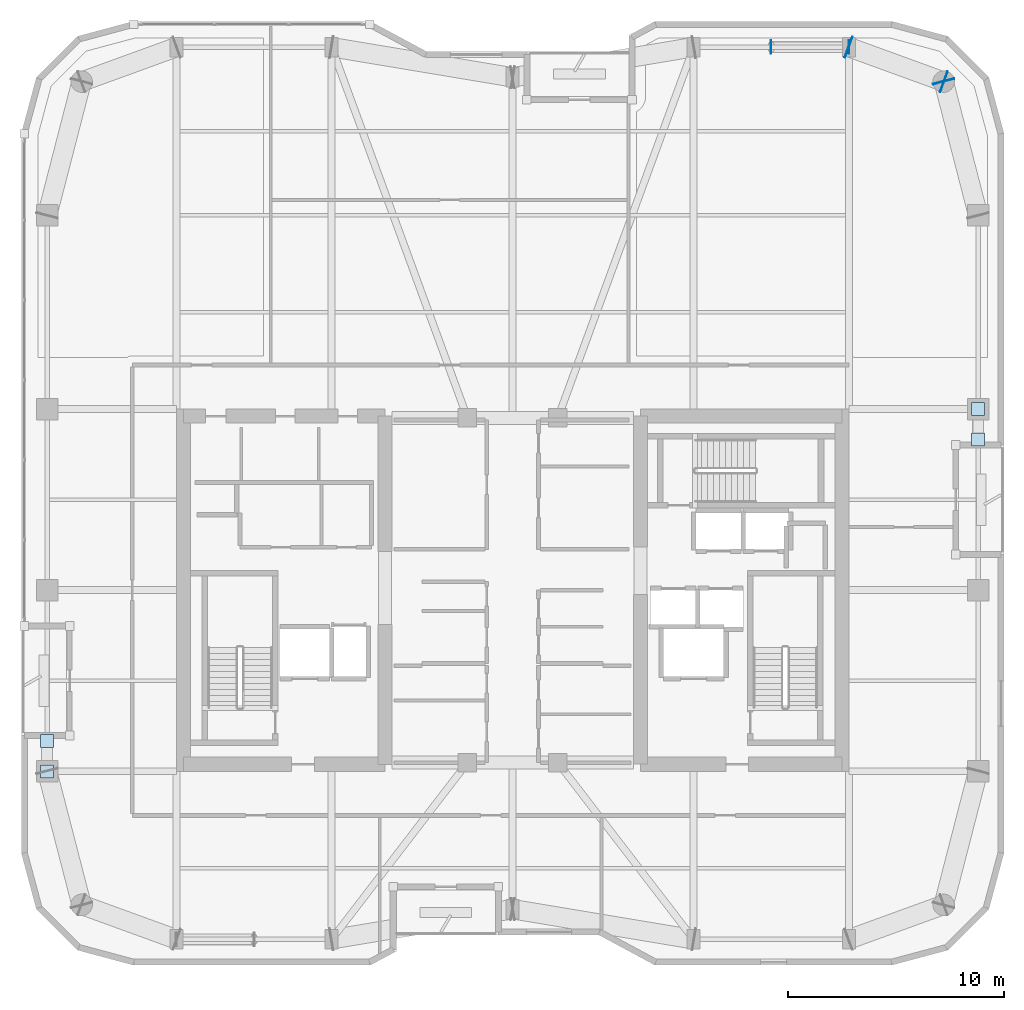
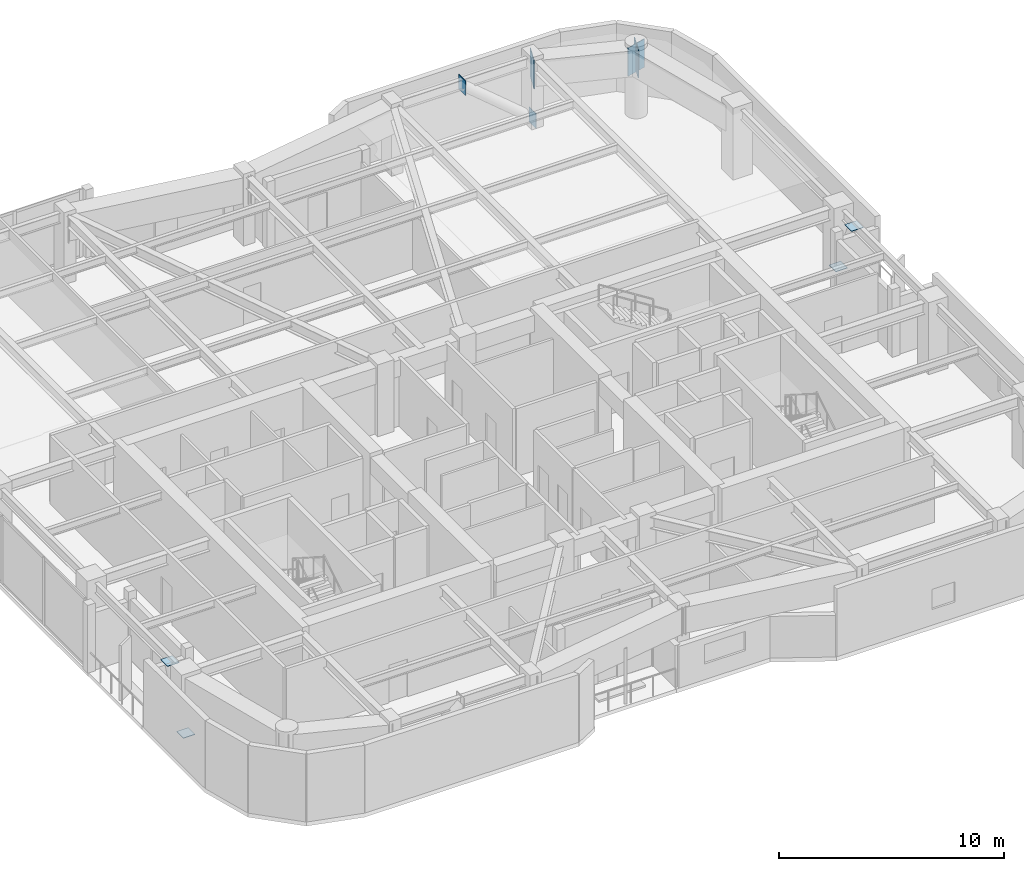
# One storey, part 14 of 21: 9 plates.
"""IFC4 building model written with IfcOpenShell, lengths in metres."""

from ifc_helpers import new_model, si_unit, direction, frame, origin, origin_2d, place, context, subcontext, project, spatial, rectangle, extrude, material, layer, layer_set, type_object, element, save


model = new_model("IFC4")

# Units and contexts
model_context = context("Model", 3, precision=1e-05, world=origin(), true_north=direction((0.0, 1.0)))
body_context = subcontext(model_context, "Body", "Model", "MODEL_VIEW")
ifc_project = project(units=[si_unit("LENGTHUNIT", "METRE"), si_unit("AREAUNIT", "SQUARE_METRE"), si_unit("VOLUMEUNIT", "CUBIC_METRE"), si_unit("PLANEANGLEUNIT", "RADIAN"), si_unit("MASSUNIT", "GRAM", prefix="KILO")], contexts=[model_context])

# Site, building, storey
site_placement = place(None, origin())
site = spatial("IfcSite", under=ifc_project, at=site_placement, CompositionType="ELEMENT")
building_placement = place(site_placement, origin())
building = spatial("IfcBuilding", under=site, at=building_placement, Name="Kiyonajd Concourse Tower", CompositionType="ELEMENT")
storey_placement = place(building_placement, frame((0.0, 0.0, 234.89990234375)))
storey = spatial("IfcBuildingStorey", under=building, at=storey_placement, Name="L59", CompositionType="ELEMENT", Elevation=234.89990234375)

# Plates
ifc_material = material(Name="Steel ASTM A572 Grade 50", Category="steel")
ifc_layer_1 = layer(ifc_material, 0.028076171875)
ifc_layer_set_1 = layer_set([ifc_layer_1], Name="Steel ASTM A572 Grade 50")
plate_type_1 = type_object("IfcPlateType", Name="PL-CAP-450", PredefinedType="USERDEFINED", material=ifc_layer_set_1)
for number, where, z_axis, x_axis, name in (
    (1, (63.6083984375, 61.199951171875, -0.10888671875), (0.0, 0.0, 1.0), (1.0, 0.0, 0.0), "L59 Hollow Brace End Cap Plate PBN"),
    (2, (59.99169921875, 61.199951171875, 2.93505859375), (0.0, 0.0, 1.0), (-1.0, 0.0, 0.0), "L59 Hollow Brace Top Cap Plate PBN"),
):
    element("IfcPlate", number, at=place(storey_placement, frame(where, z_axis=z_axis, x_axis=x_axis)), inside=storey, type_object=plate_type_1, Name=name, ObjectType="CAP PLATE", PredefinedType="USERDEFINED", context=body_context, shape_type="SweptSolid", body=[
        extrude(rectangle(XDim=0.035888671875, YDim=0.6279296875, at=origin_2d()), origin(), (0.0, 0.0, 1.0), 0.803955078125),
    ])
for number, where, z_axis, x_axis, name in (
    (3, (26.39990234375, 27.595458984375, 0.27587890625), (0.0, 0.0, 1.0), (1.0, 0.0, 0.0), "L59 Hollow Brace End Cap Plate PBW"),
    (4, (26.39990234375, 29.004638671875, 3.326171875), (0.0, 0.0, 1.0), (1.0, 0.0, 0.0), "L59 Hollow Brace Top Cap Plate PBW"),
    (5, (69.60009765625, 44.404541015625, 0.27587890625), (0.0, 0.0, 1.0), (1.0, 0.0, 0.0), "L59 Hollow Brace End Cap Plate PBE"),
    (6, (69.60009765625, 42.995361328125, 3.326171875), (0.0, 0.0, 1.0), (1.0, 0.0, 0.0), "L59 Hollow Brace Top Cap Plate PBE"),
):
    element("IfcPlate", number, at=place(storey_placement, frame(where, z_axis=z_axis, x_axis=x_axis)), inside=storey, type_object=plate_type_1, Name=name, ObjectType="CAP PLATE", PredefinedType="USERDEFINED", context=body_context, shape_type="SweptSolid", body=[
        extrude(rectangle(XDim=0.60791015625, YDim=0.60791015625, at=origin_2d()), origin(), (0.0, 0.0, 1.0), 0.028076171875),
    ])
ifc_layer_2 = layer(ifc_material, 0.031982421875)
ifc_layer_set_2 = layer_set([ifc_layer_2], Name="Steel ASTM A572 Grade 50")
plate_type_2 = type_object("IfcPlateType", Name="PL-CAP-540", PredefinedType="USERDEFINED", material=ifc_layer_set_2)
for number, where, z_axis, x_axis, name in (
    (7, (67.997314453125, 59.610595703125, 2.2099609375), (0.0, 0.0, 1.0), (-0.249873048837, 0.968278606324, 0.0), "L59 Welded Box Girder End Cap"),
    (8, (68.01025390625, 59.59619140625, 2.2099609375), (0.0, 0.0, 1.0), (0.939811951086, -0.341692107891, 0.0), "L59 Welded Box Girder End Cap"),
    (9, (63.589599609375, 61.203857421875, 2.2099609375), (0.0, 0.0, 1.0), (-0.939811951086, 0.341692107891, 0.0), "L59 Welded Box Girder End Cap"),
):
    element("IfcPlate", number, at=place(storey_placement, frame(where, z_axis=z_axis, x_axis=x_axis)), inside=storey, type_object=plate_type_2, Name=name, ObjectType="CAP PLATE", PredefinedType="USERDEFINED", context=body_context, shape_type="SweptSolid", body=[
        extrude(rectangle(XDim=0.035888671875, YDim=1.02001953125, at=origin_2d()), origin(), (0.0, 0.0, 1.0), 1.5400390625),
    ])

save(model, "model.ifc")
